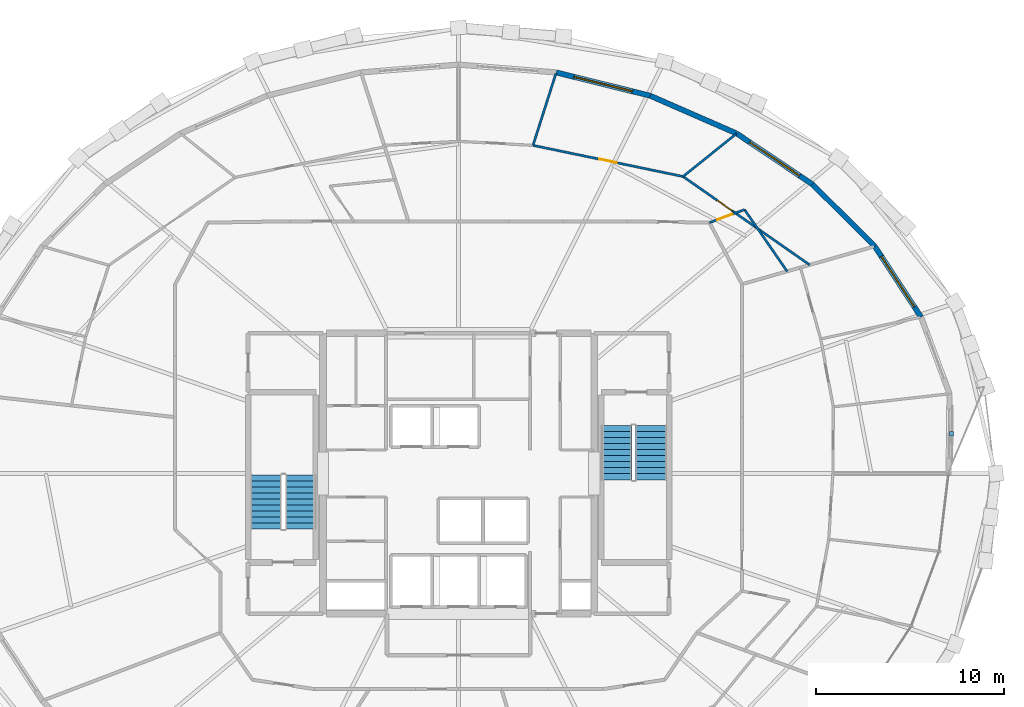
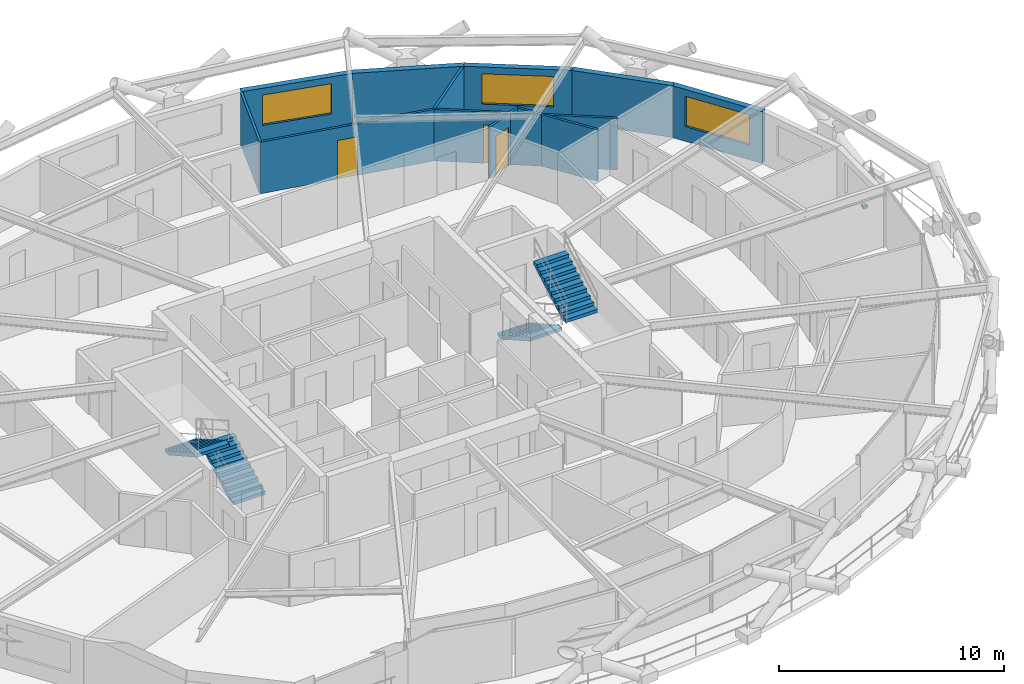
# One storey, part 17 of 20: 11 walls, 4 stair flights, 3 doors, 3 windows, 1 discrete accessory, 6 openings, 2 elements without a shape of their own.
"""IFC4 building model written with IfcOpenShell, lengths in metres."""

from ifc_helpers import new_model, si_unit, direction, frame, frame_2d, origin, origin_2d, place, context, subcontext, project, spatial, polyline, rectangle, outline, extrude, material, layer, layer_set, type_object, element, fill, aggregate, save


model = new_model("IFC4")

# Units and contexts
model_context = context("Model", 3, precision=1e-05, world=origin(), true_north=direction((0.0, 1.0)))
body_context = subcontext(model_context, "Body", "Model", "MODEL_VIEW")
ifc_project = project(units=[si_unit("LENGTHUNIT", "METRE"), si_unit("AREAUNIT", "SQUARE_METRE"), si_unit("VOLUMEUNIT", "CUBIC_METRE"), si_unit("PLANEANGLEUNIT", "RADIAN"), si_unit("MASSUNIT", "GRAM", prefix="KILO")], contexts=[model_context])

# Site, building, storey
site_placement = place(None, origin())
site = spatial("IfcSite", under=ifc_project, at=site_placement, CompositionType="ELEMENT")
building_placement = place(site_placement, origin())
building = spatial("IfcBuilding", under=site, at=building_placement, Name="Veldorina Hangang Commons", CompositionType="ELEMENT")
storey_placement = place(building_placement, frame((0.0, 0.0, 131.60009765625)))
storey = spatial("IfcBuildingStorey", under=building, at=storey_placement, Name="L33", CompositionType="ELEMENT", Elevation=131.60009765625)

# Wall, opening, window
ifc_material_1 = material(Name="Stone Roman Travertine", Category="masonry")
ifc_layer_1 = layer(ifc_material_1, 0.280029296875)
ifc_layer_set_1 = layer_set([ifc_layer_1], Name="Stone Roman Travertine")
wall_type_1 = type_object("IfcWallType", Name="EW-TRAV-280", PredefinedType="STANDARD", material=ifc_layer_set_1)
wall_1_placement = place(storey_placement, frame((56.56005859375, 32.31201171875, 0.0), z_axis=(0.0, 0.0, 1.0), x_axis=(-0.547422319482, 0.836856501518, 0.0)))
wall_1 = element("IfcWall", 1, at=wall_1_placement, inside=storey, type_object=wall_type_1, Name="L33 travertine facade wall 02", PredefinedType="STANDARD", context=body_context, shape_type="SweptSolid", body=[
    extrude(rectangle(XDim=4.487548828125, YDim=0.280029296875, at=frame_2d((2.24365234375, 0.0))), origin(), (0.0, 0.0, 1.0), 2.81982421875),
])
opening_1_placement = place(wall_1_placement, frame((0.643798828125, 0.0, 0.800048828125)))
opening_1 = element("IfcOpeningElement", 2, at=opening_1_placement, cuts=wall_1, Name="Opening W-01", PredefinedType="OPENING", context=body_context, shape_type="SweptSolid", body=[
    extrude(rectangle(XDim=3.199951171875, YDim=1.64990234375, at=frame_2d((1.60009765625, 0.824951171875))), frame((0.0, 0.14990234375, 0.0), z_axis=(0.0, -1.0, 0.0), x_axis=(1.0, 0.0, 0.0)), (0.0, 0.0, 1.0), 0.300048828125),
])
ifc_material_2 = material(Name="Glass Low-E Triple IGU", Category="glass")
window_type = type_object("IfcWindowType", Name="WIN-TWR-3200", PartitioningType="SINGLE_PANEL", PredefinedType="WINDOW", material=ifc_material_2)
window_1_placement = place(opening_1_placement, origin())
window_1 = element("IfcWindow", 3, at=window_1_placement, inside=storey, type_object=window_type, Name="L33 facade window 02", OverallHeight=1.64990234375, OverallWidth=3.199951171875, PartitioningType="SINGLE_PANEL", PredefinedType="WINDOW", context=body_context, shape_type="SweptSolid", body=[
    extrude(rectangle(XDim=3.199951171875, YDim=1.64990234375, at=frame_2d((1.60009765625, 0.824951171875))), frame((0.0, 0.030029296875, 0.0), z_axis=(0.0, -1.0, 0.0), x_axis=(1.0, 0.0, 0.0)), (0.0, 0.0, 1.0), 0.06005859375),
])
fill(opening_1, window_1)

# Wall
wall_2_placement = place(storey_placement, frame((54.103515625, 36.0673828125, 0.0), z_axis=(0.0, 0.0, 1.0), x_axis=(-0.708648936292, 0.705561255379, 0.0)))
element("IfcWall", 4, at=wall_2_placement, inside=storey, type_object=wall_type_1, Name="L33 travertine facade wall 03", PredefinedType="STANDARD", context=body_context, shape_type="SweptSolid", body=[
    extrude(rectangle(XDim=4.6650390625, YDim=0.280029296875, at=frame_2d((2.33251953125, 0.0))), origin(), (0.0, 0.0, 1.0), 2.81982421875),
])

# Wall, opening, window
wall_3_placement = place(storey_placement, frame((50.797607421875, 39.35888671875, 0.0), z_axis=(0.0, 0.0, 1.0), x_axis=(-0.830576039751, 0.556905236277, 0.0)))
wall_3 = element("IfcWall", 5, at=wall_3_placement, inside=storey, type_object=wall_type_1, Name="L33 travertine facade wall 04", PredefinedType="STANDARD", context=body_context, shape_type="SweptSolid", body=[
    extrude(rectangle(XDim=4.850341796875, YDim=0.280029296875, at=frame_2d((2.42529296875, 0.0))), origin(), (0.0, 0.0, 1.0), 2.81982421875),
])
opening_2_placement = place(wall_3_placement, frame((0.8251953125, 0.0, 0.800048828125)))
opening_2 = element("IfcOpeningElement", 6, at=opening_2_placement, cuts=wall_3, Name="Opening W-01", PredefinedType="OPENING", context=body_context, shape_type="SweptSolid", body=[
    extrude(rectangle(XDim=3.199951171875, YDim=1.64990234375, at=frame_2d((1.60009765625, 0.824951171875))), frame((0.0, 0.14990234375, 0.0), z_axis=(0.0, -1.0, 0.0), x_axis=(1.0, 0.0, 0.0)), (0.0, 0.0, 1.0), 0.300048828125),
])
window_2_placement = place(opening_2_placement, origin())
window_2 = element("IfcWindow", 7, at=window_2_placement, inside=storey, type_object=window_type, Name="L33 facade window 04", OverallHeight=1.64990234375, OverallWidth=3.199951171875, PartitioningType="SINGLE_PANEL", PredefinedType="WINDOW", context=body_context, shape_type="SweptSolid", body=[
    extrude(rectangle(XDim=3.199951171875, YDim=1.64990234375, at=frame_2d((1.60009765625, 0.824951171875))), frame((0.0, 0.030029296875, 0.0), z_axis=(0.0, -1.0, 0.0), x_axis=(1.0, 0.0, 0.0)), (0.0, 0.0, 1.0), 0.06005859375),
])
fill(opening_2, window_2)

# Wall
wall_4_placement = place(storey_placement, frame((46.76904296875, 42.06005859375, 0.0), z_axis=(0.0, 0.0, 1.0), x_axis=(-0.916424160111, 0.400208394171, 0.0)))
element("IfcWall", 8, at=wall_4_placement, inside=storey, type_object=wall_type_1, Name="L33 travertine facade wall 05", PredefinedType="STANDARD", context=body_context, shape_type="SweptSolid", body=[
    extrude(rectangle(XDim=5.01513671875, YDim=0.280029296875, at=frame_2d((2.507568359375, 0.0))), origin(), (0.0, 0.0, 1.0), 2.81982421875),
])

# Wall, opening, window
wall_5_placement = place(storey_placement, frame((42.173095703125, 44.067138671875, 0.0), z_axis=(0.0, 0.0, 1.0), x_axis=(-0.970626922291, 0.24058964592, 0.0)))
wall_5 = element("IfcWall", 9, at=wall_5_placement, inside=storey, type_object=wall_type_1, Name="L33 travertine facade wall 06", PredefinedType="STANDARD", context=body_context, shape_type="SweptSolid", body=[
    extrude(rectangle(XDim=5.1376953125, YDim=0.280029296875, at=frame_2d((2.56884765625, 0.0))), origin(), (0.0, 0.0, 1.0), 2.81982421875),
])
opening_3_placement = place(wall_5_placement, frame((0.968994140625, 0.0, 0.800048828125)))
opening_3 = element("IfcOpeningElement", 10, at=opening_3_placement, cuts=wall_5, Name="Opening W-01", PredefinedType="OPENING", context=body_context, shape_type="SweptSolid", body=[
    extrude(rectangle(XDim=3.199951171875, YDim=1.64990234375, at=frame_2d((1.60009765625, 0.824951171875))), frame((0.0, 0.14990234375, 0.0), z_axis=(0.0, -1.0, 0.0), x_axis=(1.0, 0.0, 0.0)), (0.0, 0.0, 1.0), 0.300048828125),
])
window_3_placement = place(opening_3_placement, origin())
window_3 = element("IfcWindow", 11, at=window_3_placement, inside=storey, type_object=window_type, Name="L33 facade window 06", OverallHeight=1.64990234375, OverallWidth=3.199951171875, PartitioningType="SINGLE_PANEL", PredefinedType="WINDOW", context=body_context, shape_type="SweptSolid", body=[
    extrude(rectangle(XDim=3.199951171875, YDim=1.64990234375, at=frame_2d((1.60009765625, 0.824951171875))), frame((0.0, 0.030029296875, 0.0), z_axis=(0.0, -1.0, 0.0), x_axis=(1.0, 0.0, 0.0)), (0.0, 0.0, 1.0), 0.06005859375),
])
fill(opening_3, window_3)

# Wall
ifc_material_3 = material(Name="Gypsum Acoustic Stud Partition", Category="gypsum")
ifc_layer_2 = layer(ifc_material_3, 0.1201171875)
ifc_layer_set_2 = layer_set([ifc_layer_2], Name="Gypsum Acoustic Stud Partition")
wall_type_2 = type_object("IfcWallType", Name="WL-PART-120", PredefinedType="PARTITIONING", material=ifc_layer_set_2)
wall_6_placement = place(storey_placement, frame((49.4482421875, 34.739990234375, 0.0), z_axis=(0.0, 0.0, 1.0), x_axis=(-0.568195659841, 0.822893487723, 0.0)))
element("IfcWall", 12, at=wall_6_placement, inside=storey, type_object=wall_type_2, Name="L33 Cluster 3 bath front wall 100", PredefinedType="PARTITIONING", context=body_context, shape_type="SweptSolid", body=[
    extrude(rectangle(XDim=3.98193359375, YDim=0.1201171875, at=frame_2d((1.990966796875, 0.0))), origin(), (0.0, 0.0, 1.0), 2.7998046875),
])

# Wall, opening, door
wall_7_placement = place(storey_placement, frame((45.324951171875, 37.324951171875, 0.0), z_axis=(0.0, 0.0, 1.0), x_axis=(0.937346114238, 0.348399572506, 0.0)))
wall_7 = element("IfcWall", 13, at=wall_7_placement, inside=storey, type_object=wall_type_2, Name="L33 Cluster 3 bath side wall 101", PredefinedType="PARTITIONING", context=body_context, shape_type="SweptSolid", body=[
    extrude(rectangle(XDim=1.985107421875, YDim=0.1201171875, at=frame_2d((0.99267578125, 0.0))), origin(), (0.0, 0.0, 1.0), 2.7998046875),
])
opening_4_placement = place(wall_7_placement, frame((0.43994140625, 0.0, 0.0)))
opening_4 = element("IfcOpeningElement", 14, at=opening_4_placement, cuts=wall_7, Name="Opening D-01", PredefinedType="OPENING", context=body_context, shape_type="SweptSolid", body=[
    extrude(rectangle(XDim=0.860107421875, YDim=2.10009765625, at=frame_2d((0.43017578125, 1.050048828125))), frame((0.0, 0.070068359375, 0.0), z_axis=(0.0, -1.0, 0.0), x_axis=(1.0, 0.0, 0.0)), (0.0, 0.0, 1.0), 0.14013671875),
])
ifc_material_4 = material(Name="Timber Moisture-Resistant Core", Category="wood")
door_type_1 = type_object("IfcDoorType", Name="DR-WET-860", OperationType="SINGLE_SWING_LEFT", PredefinedType="DOOR", material=ifc_material_4)
door_1_placement = place(opening_4_placement, origin())
door_1 = element("IfcDoor", 15, at=door_1_placement, inside=storey, type_object=door_type_1, Name="L33 Cluster 3 shared bathroom door 030", OperationType="SINGLE_SWING_RIGHT", OverallHeight=2.10009765625, OverallWidth=0.860107421875, PredefinedType="DOOR", context=body_context, shape_type="SweptSolid", body=[
    extrude(rectangle(XDim=0.860107421875, YDim=2.10009765625, at=frame_2d((0.43017578125, 1.050048828125))), frame((0.0, 0.02490234375, 0.0), z_axis=(0.0, -1.0, 0.0), x_axis=(1.0, 0.0, 0.0)), (0.0, 0.0, 1.0), 0.050048828125),
])
fill(opening_4, door_1)

wall_8_placement = place(storey_placement, frame((50.647216796875, 35.081787109375, 0.0), z_axis=(0.0, 0.0, 1.0), x_axis=(-0.820068492929, 0.572265381537, 0.0)))
wall_8 = element("IfcWall", 16, at=wall_8_placement, inside=storey, type_object=wall_type_2, Name="L33 Cluster 3 bed 1 front wall 102", PredefinedType="PARTITIONING", context=body_context, shape_type="SweptSolid", body=[
    extrude(rectangle(XDim=8.203857421875, YDim=0.1201171875, at=frame_2d((4.10205078125, 0.0))), origin(), (0.0, 0.0, 1.0), 2.7998046875),
])
opening_5_placement = place(wall_8_placement, frame((5.029296875, 0.0, 0.0)))
opening_5 = element("IfcOpeningElement", 17, at=opening_5_placement, cuts=wall_8, Name="Opening D-02", PredefinedType="OPENING", context=body_context, shape_type="SweptSolid", body=[
    extrude(rectangle(XDim=0.949951171875, YDim=2.10009765625, at=frame_2d((0.47509765625, 1.050048828125))), frame((0.0, 0.070068359375, 0.0), z_axis=(0.0, -1.0, 0.0), x_axis=(1.0, 0.0, 0.0)), (0.0, 0.0, 1.0), 0.14013671875),
])
ifc_material_5 = material(Name="Timber Solid Core Acoustic", Category="wood")
door_type_2 = type_object("IfcDoorType", Name="DR-INT-950", OperationType="SINGLE_SWING_LEFT", PredefinedType="DOOR", material=ifc_material_5)
door_2_placement = place(opening_5_placement, origin())
door_2 = element("IfcDoor", 18, at=door_2_placement, inside=storey, type_object=door_type_2, Name="L33 Cluster 3 bed 1 door 032", OperationType="SINGLE_SWING_RIGHT", OverallHeight=2.10009765625, OverallWidth=0.949951171875, PredefinedType="DOOR", context=body_context, shape_type="SweptSolid", body=[
    extrude(rectangle(XDim=0.949951171875, YDim=2.10009765625, at=frame_2d((0.47509765625, 1.050048828125))), frame((0.0, 0.02490234375, 0.0), z_axis=(0.0, -1.0, 0.0), x_axis=(1.0, 0.0, 0.0)), (0.0, 0.0, 1.0), 0.050048828125),
])
fill(opening_5, door_2)

wall_9_placement = place(storey_placement, frame((43.91943359375, 39.776611328125, 0.0), z_axis=(0.0, 0.0, 1.0), x_axis=(-0.97912865648, 0.20324141817, 0.0)))
wall_9 = element("IfcWall", 19, at=wall_9_placement, inside=storey, type_object=wall_type_2, Name="L33 Cluster 3 bed 2 front wall 103", PredefinedType="PARTITIONING", context=body_context, shape_type="SweptSolid", body=[
    extrude(rectangle(XDim=8.138427734375, YDim=0.1201171875, at=frame_2d((4.0693359375, 0.0))), origin(), (0.0, 0.0, 1.0), 2.7998046875),
])
opening_6_placement = place(wall_9_placement, frame((3.593994140625, 0.0, 0.0)))
opening_6 = element("IfcOpeningElement", 20, at=opening_6_placement, cuts=wall_9, Name="Opening D-02", PredefinedType="OPENING", context=body_context, shape_type="SweptSolid", body=[
    extrude(rectangle(XDim=0.949951171875, YDim=2.10009765625, at=frame_2d((0.47509765625, 1.050048828125))), frame((0.0, 0.070068359375, 0.0), z_axis=(0.0, -1.0, 0.0), x_axis=(1.0, 0.0, 0.0)), (0.0, 0.0, 1.0), 0.14013671875),
])
door_3_placement = place(opening_6_placement, origin())
door_3 = element("IfcDoor", 21, at=door_3_placement, inside=storey, type_object=door_type_2, Name="L33 Cluster 3 bed 2 door 033", OperationType="SINGLE_SWING_LEFT", OverallHeight=2.10009765625, OverallWidth=0.949951171875, PredefinedType="DOOR", context=body_context, shape_type="SweptSolid", body=[
    extrude(rectangle(XDim=0.949951171875, YDim=2.10009765625, at=frame_2d((0.47509765625, 1.050048828125))), frame((0.0, 0.02490234375, 0.0), z_axis=(0.0, -1.0, 0.0), x_axis=(1.0, 0.0, 0.0)), (0.0, 0.0, 1.0), 0.050048828125),
])
fill(opening_6, door_3)

# Walls
wall_10_placement = place(storey_placement, frame((43.91943359375, 39.776611328125, 0.0), z_axis=(0.0, 0.0, 1.0), x_axis=(0.780359323849, 0.625331372699, 0.0)))
element("IfcWall", 22, at=wall_10_placement, inside=storey, type_object=wall_type_2, Name="L33 Cluster 3 bed divider 1 104", PredefinedType="PARTITIONING", context=body_context, shape_type="SweptSolid", body=[
    extrude(rectangle(XDim=3.6015625, YDim=0.1201171875, at=frame_2d((1.80078125, 0.0))), origin(), (0.0, 0.0, 1.0), 2.7998046875),
])
wall_11_placement = place(storey_placement, frame((35.950927734375, 41.4306640625, 0.0), z_axis=(0.0, 0.0, 1.0), x_axis=(0.303868730984, 0.952713910012, 0.0)))
element("IfcWall", 23, at=wall_11_placement, inside=storey, type_object=wall_type_2, Name="L33 Cluster 3 bed divider 2 106", PredefinedType="PARTITIONING", context=body_context, shape_type="SweptSolid", body=[
    extrude(rectangle(XDim=4.014892578125, YDim=0.1201171875, at=frame_2d((2.00732421875, 0.0))), origin(), (0.0, 0.0, 1.0), 2.7998046875),
])

# Stair, stair flights
ifc_material_6 = material(Name="Concrete C40/50", Category="concrete")
stair_type = type_object("IfcStairType", Name="STR-DOG-1650-20R", PredefinedType="HALF_TURN_STAIR", material=ifc_material_6)
stair_1_placement = place(storey_placement, origin())
stair_1 = element("IfcStair", 24, at=stair_1_placement, inside=storey, type_object=stair_type, Name="L33 Exit stair ST-1", PredefinedType="HALF_TURN_STAIR")
stair_flight_type = type_object("IfcStairFlightType", Name="SFL-STR-1650-20R", PredefinedType="STRAIGHT", material=ifc_material_6)
stair_flight_1_placement = place(storey_placement, frame((23.625, 21.050048828125, 0.0), z_axis=(0.0, 0.0, 1.0), x_axis=(0.0, 1.0, 0.0)))
stair_flight_1 = element("IfcStairFlight", 25, at=stair_flight_1_placement, type_object=stair_flight_type, Name="ST-1 flight 1", NumberOfRisers=10, NumberOfTreads=9, PredefinedType="STRAIGHT", RiserHeight=0.18, TreadLength=0.32, context=body_context, shape_type="SweptSolid", body=[
    extrude(outline(polyline([(0.0, 0.0), (0.0, 0.179931640625), (0.320068359375, 0.179931640625), (0.320068359375, 0.360107421875), (0.639892578125, 0.360107421875), (0.639892578125, 0.5400390625), (0.9599609375, 0.5400390625), (0.9599609375, 0.719970703125), (1.280029296875, 0.719970703125), (1.280029296875, 0.89990234375), (1.60009765625, 0.89990234375), (1.60009765625, 1.080078125), (1.919921875, 1.080078125), (1.919921875, 1.260009765625), (2.239990234375, 1.260009765625), (2.239990234375, 1.43994140625), (2.56005859375, 1.43994140625), (2.56005859375, 1.6201171875), (2.8798828125, 1.6201171875), (2.8798828125, 1.800048828125), (2.8798828125, 1.447998046875), (0.3056640625, 0.0), (0.0, 0.0)])), frame((0.0, 0.824951171875, 0.0), z_axis=(0.0, -1.0, 0.0), x_axis=(1.0, 0.0, 0.0)), (0.0, 0.0, 1.0), 1.64990234375),
])
stair_flight_2_placement = place(storey_placement, frame((21.77490234375, 23.929931640625, 1.7998046875), z_axis=(0.0, 0.0, 1.0), x_axis=(0.0, -1.0, 0.0)))
stair_flight_2 = element("IfcStairFlight", 26, at=stair_flight_2_placement, type_object=stair_flight_type, Name="ST-1 flight 2", NumberOfRisers=10, NumberOfTreads=9, PredefinedType="STRAIGHT", RiserHeight=0.18, TreadLength=0.32, context=body_context, shape_type="SweptSolid", body=[
    extrude(outline(polyline([(0.0, 0.0), (0.0, 0.179931640625), (0.320068359375, 0.179931640625), (0.320068359375, 0.360107421875), (0.639892578125, 0.360107421875), (0.639892578125, 0.5400390625), (0.9599609375, 0.5400390625), (0.9599609375, 0.719970703125), (1.280029296875, 0.719970703125), (1.280029296875, 0.89990234375), (1.60009765625, 0.89990234375), (1.60009765625, 1.080078125), (1.919921875, 1.080078125), (1.919921875, 1.260009765625), (2.239990234375, 1.260009765625), (2.239990234375, 1.43994140625), (2.56005859375, 1.43994140625), (2.56005859375, 1.6201171875), (2.8798828125, 1.6201171875), (2.8798828125, 1.800048828125), (2.8798828125, 1.447998046875), (0.3056640625, 0.0), (0.0, 0.0)])), frame((0.0, 0.824951171875, 0.0), z_axis=(0.0, -1.0, 0.0), x_axis=(1.0, 0.0, 0.0)), (0.0, 0.0, 1.0), 1.64990234375),
])
aggregate(stair_1, [stair_flight_1, stair_flight_2])

stair_2_placement = place(storey_placement, origin())
stair_2 = element("IfcStair", 27, at=stair_2_placement, inside=storey, type_object=stair_type, Name="L33 Exit stair ST-2", PredefinedType="HALF_TURN_STAIR")
stair_flight_3_placement = place(storey_placement, frame((40.375, 26.550048828125, 0.0), z_axis=(0.0, 0.0, 1.0), x_axis=(0.0, -1.0, 0.0)))
stair_flight_3 = element("IfcStairFlight", 28, at=stair_flight_3_placement, type_object=stair_flight_type, Name="ST-2 flight 1", NumberOfRisers=10, NumberOfTreads=9, PredefinedType="STRAIGHT", RiserHeight=0.18, TreadLength=0.32, context=body_context, shape_type="SweptSolid", body=[
    extrude(outline(polyline([(0.0, 0.0), (0.0, 0.179931640625), (0.320068359375, 0.179931640625), (0.320068359375, 0.360107421875), (0.639892578125, 0.360107421875), (0.639892578125, 0.5400390625), (0.9599609375, 0.5400390625), (0.9599609375, 0.719970703125), (1.280029296875, 0.719970703125), (1.280029296875, 0.89990234375), (1.60009765625, 0.89990234375), (1.60009765625, 1.080078125), (1.919921875, 1.080078125), (1.919921875, 1.260009765625), (2.239990234375, 1.260009765625), (2.239990234375, 1.43994140625), (2.56005859375, 1.43994140625), (2.56005859375, 1.6201171875), (2.8798828125, 1.6201171875), (2.8798828125, 1.800048828125), (2.8798828125, 1.447998046875), (0.3056640625, 0.0), (0.0, 0.0)])), frame((0.0, 0.824951171875, 0.0), z_axis=(0.0, -1.0, 0.0), x_axis=(1.0, 0.0, 0.0)), (0.0, 0.0, 1.0), 1.64990234375),
])
stair_flight_4_placement = place(storey_placement, frame((42.22509765625, 23.669921875, 1.7998046875), z_axis=(0.0, 0.0, 1.0), x_axis=(0.0, 1.0, 0.0)))
stair_flight_4 = element("IfcStairFlight", 29, at=stair_flight_4_placement, type_object=stair_flight_type, Name="ST-2 flight 2", NumberOfRisers=10, NumberOfTreads=9, PredefinedType="STRAIGHT", RiserHeight=0.18, TreadLength=0.32, context=body_context, shape_type="SweptSolid", body=[
    extrude(outline(polyline([(0.0, 0.0), (0.0, 0.179931640625), (0.320068359375, 0.179931640625), (0.320068359375, 0.360107421875), (0.639892578125, 0.360107421875), (0.639892578125, 0.5400390625), (0.9599609375, 0.5400390625), (0.9599609375, 0.719970703125), (1.280029296875, 0.719970703125), (1.280029296875, 0.89990234375), (1.60009765625, 0.89990234375), (1.60009765625, 1.080078125), (1.919921875, 1.080078125), (1.919921875, 1.260009765625), (2.239990234375, 1.260009765625), (2.239990234375, 1.43994140625), (2.56005859375, 1.43994140625), (2.56005859375, 1.6201171875), (2.8798828125, 1.6201171875), (2.8798828125, 1.800048828125), (2.8798828125, 1.447998046875), (0.3056640625, 0.0), (0.0, 0.0)])), frame((0.0, 0.824951171875, 0.0), z_axis=(0.0, -1.0, 0.0), x_axis=(1.0, 0.0, 0.0)), (0.0, 0.0, 1.0), 1.64990234375),
])
aggregate(stair_2, [stair_flight_3, stair_flight_4])

# Discrete accessory
ifc_material_7 = material(Name="Stainless Steel Brushed 316", Category="steel")
discrete_accessory_type = type_object("IfcDiscreteAccessoryType", Name="BRK-SCR-SS", PredefinedType="BRACKET", material=ifc_material_7)
discrete_accessory_placement = place(storey_placement, frame((58.168212890625, 26.117431640625, 0.7197265625), z_axis=(0.0, 0.0, 1.0), x_axis=(0.011606178945, 0.999932646037, 0.0)))
element("IfcDiscreteAccessory", 30, at=discrete_accessory_placement, inside=storey, type_object=discrete_accessory_type, Name="L33 solar screen support bracket 00", PredefinedType="BRACKET", context=body_context, shape_type="SweptSolid", body=[
    extrude(rectangle(XDim=0.219970703125, YDim=0.219970703125, at=origin_2d()), origin(), (0.0, 0.0, 1.0), 0.159912109375),
])

save(model, "model.ifc")
